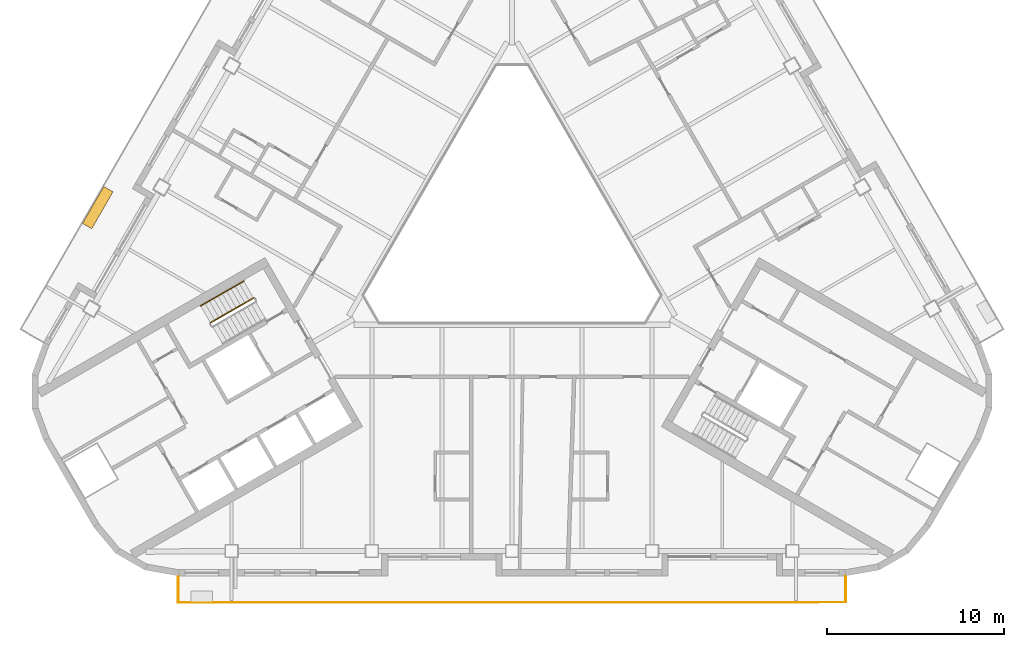
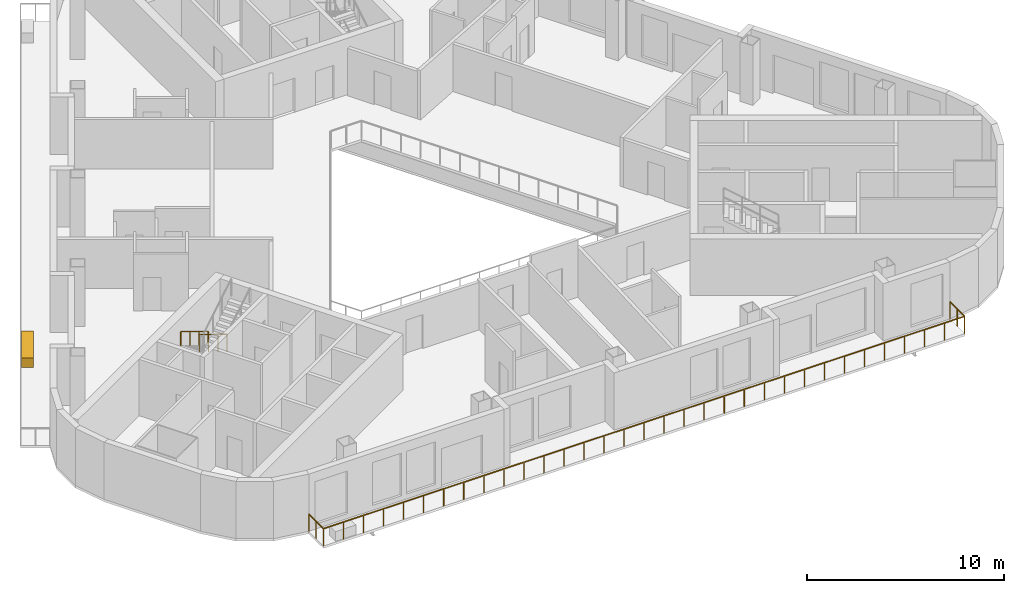
# One storey, part 10 of 14: 3 railings, 1 covering.
"""IFC4 building model written with IfcOpenShell, lengths in metres."""

from ifc_helpers import new_model, si_unit, direction, frame, origin, origin_2d, place, context, subcontext, project, spatial, rectangle, circle, extrude, material, type_object, element, save


model = new_model("IFC4")

# Units and contexts
model_context = context("Model", 3, precision=1e-05, world=origin(), true_north=direction((0.0, 1.0)))
body_context = subcontext(model_context, "Body", "Model", "MODEL_VIEW")
ifc_project = project(units=[si_unit("LENGTHUNIT", "METRE"), si_unit("AREAUNIT", "SQUARE_METRE"), si_unit("VOLUMEUNIT", "CUBIC_METRE"), si_unit("PLANEANGLEUNIT", "RADIAN"), si_unit("MASSUNIT", "GRAM", prefix="KILO")], contexts=[model_context])

# Site, building, storey
site_placement = place(None, origin())
site = spatial("IfcSite", under=ifc_project, at=site_placement, CompositionType="ELEMENT")
building_placement = place(site_placement, origin())
building = spatial("IfcBuilding", under=site, at=building_placement, Name="Apuvela Tower Hotel", CompositionType="ELEMENT")
storey_placement = place(building_placement, frame((0.0, 0.0, 209.5)))
storey = spatial("IfcBuildingStorey", under=building, at=storey_placement, Name="L51", CompositionType="ELEMENT", Elevation=209.5)

# Railings
ifc_material_1 = material(Name="Steel S275 balustrade", Category="steel")
railing_type_1 = type_object("IfcRailingType", Name="COR-GUARD-1100", PredefinedType="GUARDRAIL", material=ifc_material_1)
railing_1_placement = place(storey_placement, frame((-14.569091796875, -3.9658203125, 0.168212890625)))
element("IfcRailing", 1, at=railing_1_placement, inside=storey, type_object=railing_type_1, Name="L51 ST2 stair guard 1", PredefinedType="GUARDRAIL", context=body_context, shape_type="SweptSolid", body=[
    extrude(rectangle(XDim=0.048095703125, YDim=0.048095703125, at=origin_2d()), frame((0.0, 0.0, 1.076171875), z_axis=(-0.742390482028, -0.42860119049, 0.514934356695), x_axis=(0.49998411664, -0.866034573852, 0.0)), (0.0, 0.0, 1.0), 3.26611328125),
    extrude(rectangle(XDim=0.0419921875, YDim=0.0419921875, at=origin_2d()), origin(), (0.0, 0.0, 1.0), 1.052001953125),
    extrude(rectangle(XDim=0.0419921875, YDim=0.0419921875, at=origin_2d()), frame((-0.808349609375, -0.466552734375, 0.560546875)), (0.0, 0.0, 1.0), 1.052001953125),
    extrude(rectangle(XDim=0.0419921875, YDim=0.0419921875, at=origin_2d()), frame((-1.616455078125, -0.933349609375, 1.121337890625)), (0.0, 0.0, 1.0), 1.052001953125),
    extrude(rectangle(XDim=0.0419921875, YDim=0.0419921875, at=origin_2d()), frame((-2.4248046875, -1.39990234375, 1.681884765625)), (0.0, 0.0, 1.0), 1.052001953125),
])
ifc_material_2 = material(Name="Stainless steel 316 handrail", Category="steel")
railing_type_2 = type_object("IfcRailingType", Name="COR-HANDRAIL-900", PredefinedType="HANDRAIL", material=ifc_material_2)
railing_2_placement = place(storey_placement, frame((-15.118896484375, -3.01318359375, 0.168212890625)))
element("IfcRailing", 2, at=railing_2_placement, inside=storey, type_object=railing_type_2, Name="L51 ST2 stair handrail 1", PredefinedType="HANDRAIL", context=body_context, shape_type="SweptSolid", body=[
    extrude(circle(Radius=0.02392578125, at=origin_2d()), frame((0.0, 0.0, 0.8759765625), z_axis=(-0.742424030051, -0.428577407461, 0.514905783049), x_axis=(0.49994636267, -0.866056369097, 0.0)), (0.0, 0.0, 1.0), 3.266357421875),
    extrude(rectangle(XDim=0.0419921875, YDim=0.0419921875, at=origin_2d()), origin(), (0.0, 0.0, 1.0), 0.851806640625),
    extrude(rectangle(XDim=0.0419921875, YDim=0.0419921875, at=origin_2d()), frame((-0.808349609375, -0.466552734375, 0.560546875)), (0.0, 0.0, 1.0), 0.851806640625),
    extrude(rectangle(XDim=0.0419921875, YDim=0.0419921875, at=origin_2d()), frame((-1.61669921875, -0.933349609375, 1.121337890625)), (0.0, 0.0, 1.0), 0.851806640625),
    extrude(rectangle(XDim=0.0419921875, YDim=0.0419921875, at=origin_2d()), frame((-2.425048828125, -1.39990234375, 1.681884765625)), (0.0, 0.0, 1.0), 0.851806640625),
])
ifc_material_3 = material(Name="Stainless steel 316 rail with laminated glass infill", Category="steel")
railing_type_3 = type_object("IfcRailingType", Name="ENV-GUARD-1100", PredefinedType="GUARDRAIL", material=ifc_material_3)
railing_3_placement = place(storey_placement, frame((-18.81591796875, -19.6298828125, 0.0)))
element("IfcRailing", 3, at=railing_3_placement, inside=storey, type_object=railing_type_3, Name="Balcony guard S L51", PredefinedType="GUARDRAIL", context=body_context, shape_type="SweptSolid", body=[
    extrude(rectangle(XDim=0.050048828125, YDim=0.050048828125, at=origin_2d()), frame((0.0, 0.0, 1.0751953125), z_axis=(0.0, -1.0, 0.0), x_axis=(1.0, 0.0, 0.0)), (0.0, 0.0, 1.0), 1.5),
    extrude(rectangle(XDim=0.050048828125, YDim=0.050048828125, at=origin_2d()), frame((0.0, -1.5, 1.0751953125), z_axis=(1.0, 0.0, 0.0), x_axis=(0.0, 1.0, 0.0)), (0.0, 0.0, 1.0), 37.6318359375),
    extrude(rectangle(XDim=0.050048828125, YDim=0.050048828125, at=origin_2d()), frame((37.6318359375, -1.5, 1.0751953125), z_axis=(0.0, 1.0, 0.0), x_axis=(-1.0, 0.0, 0.0)), (0.0, 0.0, 1.0), 1.5),
    extrude(rectangle(XDim=0.0400390625, YDim=0.0400390625, at=origin_2d()), origin(), (0.0, 0.0, 1.0), 1.050048828125),
    extrude(rectangle(XDim=0.0400390625, YDim=0.0400390625, at=origin_2d()), frame((0.0, -0.75, 0.0)), (0.0, 0.0, 1.0), 1.050048828125),
    extrude(rectangle(XDim=0.0400390625, YDim=0.0400390625, at=origin_2d()), frame((0.0, -1.5, 0.0)), (0.0, 0.0, 1.0), 1.050048828125),
    extrude(rectangle(XDim=0.0400390625, YDim=0.0400390625, at=origin_2d()), frame((1.176025390625, -1.5, 0.0)), (0.0, 0.0, 1.0), 1.050048828125),
    extrude(rectangle(XDim=0.0400390625, YDim=0.0400390625, at=origin_2d()), frame((2.35205078125, -1.5, 0.0)), (0.0, 0.0, 1.0), 1.050048828125),
    extrude(rectangle(XDim=0.0400390625, YDim=0.0400390625, at=origin_2d()), frame((3.528076171875, -1.5, 0.0)), (0.0, 0.0, 1.0), 1.050048828125),
    extrude(rectangle(XDim=0.0400390625, YDim=0.0400390625, at=origin_2d()), frame((4.7041015625, -1.5, 0.0)), (0.0, 0.0, 1.0), 1.050048828125),
    extrude(rectangle(XDim=0.0400390625, YDim=0.0400390625, at=origin_2d()), frame((5.8798828125, -1.5, 0.0)), (0.0, 0.0, 1.0), 1.050048828125),
    extrude(rectangle(XDim=0.0400390625, YDim=0.0400390625, at=origin_2d()), frame((7.055908203125, -1.5, 0.0)), (0.0, 0.0, 1.0), 1.050048828125),
    extrude(rectangle(XDim=0.0400390625, YDim=0.0400390625, at=origin_2d()), frame((8.23193359375, -1.5, 0.0)), (0.0, 0.0, 1.0), 1.050048828125),
    extrude(rectangle(XDim=0.0400390625, YDim=0.0400390625, at=origin_2d()), frame((9.407958984375, -1.5, 0.0)), (0.0, 0.0, 1.0), 1.050048828125),
    extrude(rectangle(XDim=0.0400390625, YDim=0.0400390625, at=origin_2d()), frame((10.583984375, -1.5, 0.0)), (0.0, 0.0, 1.0), 1.050048828125),
    extrude(rectangle(XDim=0.0400390625, YDim=0.0400390625, at=origin_2d()), frame((11.760009765625, -1.5, 0.0)), (0.0, 0.0, 1.0), 1.050048828125),
    extrude(rectangle(XDim=0.0400390625, YDim=0.0400390625, at=origin_2d()), frame((12.93603515625, -1.5, 0.0)), (0.0, 0.0, 1.0), 1.050048828125),
    extrude(rectangle(XDim=0.0400390625, YDim=0.0400390625, at=origin_2d()), frame((14.11181640625, -1.5, 0.0)), (0.0, 0.0, 1.0), 1.050048828125),
    extrude(rectangle(XDim=0.0400390625, YDim=0.0400390625, at=origin_2d()), frame((15.287841796875, -1.5, 0.0)), (0.0, 0.0, 1.0), 1.050048828125),
    extrude(rectangle(XDim=0.0400390625, YDim=0.0400390625, at=origin_2d()), frame((16.4638671875, -1.5, 0.0)), (0.0, 0.0, 1.0), 1.050048828125),
    extrude(rectangle(XDim=0.0400390625, YDim=0.0400390625, at=origin_2d()), frame((17.639892578125, -1.5, 0.0)), (0.0, 0.0, 1.0), 1.050048828125),
    extrude(rectangle(XDim=0.0400390625, YDim=0.0400390625, at=origin_2d()), frame((18.81591796875, -1.5, 0.0)), (0.0, 0.0, 1.0), 1.050048828125),
    extrude(rectangle(XDim=0.0400390625, YDim=0.0400390625, at=origin_2d()), frame((19.991943359375, -1.5, 0.0)), (0.0, 0.0, 1.0), 1.050048828125),
    extrude(rectangle(XDim=0.0400390625, YDim=0.0400390625, at=origin_2d()), frame((21.16796875, -1.5, 0.0)), (0.0, 0.0, 1.0), 1.050048828125),
    extrude(rectangle(XDim=0.0400390625, YDim=0.0400390625, at=origin_2d()), frame((22.343994140625, -1.5, 0.0)), (0.0, 0.0, 1.0), 1.050048828125),
    extrude(rectangle(XDim=0.0400390625, YDim=0.0400390625, at=origin_2d()), frame((23.52001953125, -1.5, 0.0)), (0.0, 0.0, 1.0), 1.050048828125),
    extrude(rectangle(XDim=0.0400390625, YDim=0.0400390625, at=origin_2d()), frame((24.69580078125, -1.5, 0.0)), (0.0, 0.0, 1.0), 1.050048828125),
    extrude(rectangle(XDim=0.0400390625, YDim=0.0400390625, at=origin_2d()), frame((25.871826171875, -1.5, 0.0)), (0.0, 0.0, 1.0), 1.050048828125),
    extrude(rectangle(XDim=0.0400390625, YDim=0.0400390625, at=origin_2d()), frame((27.0478515625, -1.5, 0.0)), (0.0, 0.0, 1.0), 1.050048828125),
    extrude(rectangle(XDim=0.0400390625, YDim=0.0400390625, at=origin_2d()), frame((28.223876953125, -1.5, 0.0)), (0.0, 0.0, 1.0), 1.050048828125),
    extrude(rectangle(XDim=0.0400390625, YDim=0.0400390625, at=origin_2d()), frame((29.39990234375, -1.5, 0.0)), (0.0, 0.0, 1.0), 1.050048828125),
    extrude(rectangle(XDim=0.0400390625, YDim=0.0400390625, at=origin_2d()), frame((30.575927734375, -1.5, 0.0)), (0.0, 0.0, 1.0), 1.050048828125),
    extrude(rectangle(XDim=0.0400390625, YDim=0.0400390625, at=origin_2d()), frame((31.751953125, -1.5, 0.0)), (0.0, 0.0, 1.0), 1.050048828125),
    extrude(rectangle(XDim=0.0400390625, YDim=0.0400390625, at=origin_2d()), frame((32.927734375, -1.5, 0.0)), (0.0, 0.0, 1.0), 1.050048828125),
    extrude(rectangle(XDim=0.0400390625, YDim=0.0400390625, at=origin_2d()), frame((34.103759765625, -1.5, 0.0)), (0.0, 0.0, 1.0), 1.050048828125),
    extrude(rectangle(XDim=0.0400390625, YDim=0.0400390625, at=origin_2d()), frame((35.27978515625, -1.5, 0.0)), (0.0, 0.0, 1.0), 1.050048828125),
    extrude(rectangle(XDim=0.0400390625, YDim=0.0400390625, at=origin_2d()), frame((36.455810546875, -1.5, 0.0)), (0.0, 0.0, 1.0), 1.050048828125),
    extrude(rectangle(XDim=0.0400390625, YDim=0.0400390625, at=origin_2d()), frame((37.6318359375, -1.5, 0.0)), (0.0, 0.0, 1.0), 1.050048828125),
    extrude(rectangle(XDim=0.0400390625, YDim=0.0400390625, at=origin_2d()), frame((37.6318359375, -0.75, 0.0)), (0.0, 0.0, 1.0), 1.050048828125),
    extrude(rectangle(XDim=0.0400390625, YDim=0.0400390625, at=origin_2d()), frame((37.6318359375, 0.0, 0.0)), (0.0, 0.0, 1.0), 1.050048828125),
])

# Covering
ifc_material_4 = material(Name="Planting substrate and soil, planted")
covering_type = type_object("IfcCoveringType", Name="ENV-PLANTER-2400x600", PredefinedType="USERDEFINED", material=ifc_material_4)
covering_placement = place(storey_placement, frame((-23.345947265625, 1.12353515625, 0.0), z_axis=(0.0, 0.0, 1.0), x_axis=(-0.5, -0.866025403784, 0.0)))
element("IfcCovering", 4, at=covering_placement, inside=storey, type_object=covering_type, Name="Planter NW5", ObjectType="PLANTER", PredefinedType="USERDEFINED", context=body_context, shape_type="SweptSolid", body=[
    extrude(rectangle(XDim=2.39990234375, YDim=0.60009765625, at=origin_2d()), origin(), (0.0, 0.0, 1.0), 0.60009765625),
])

save(model, "model.ifc")
